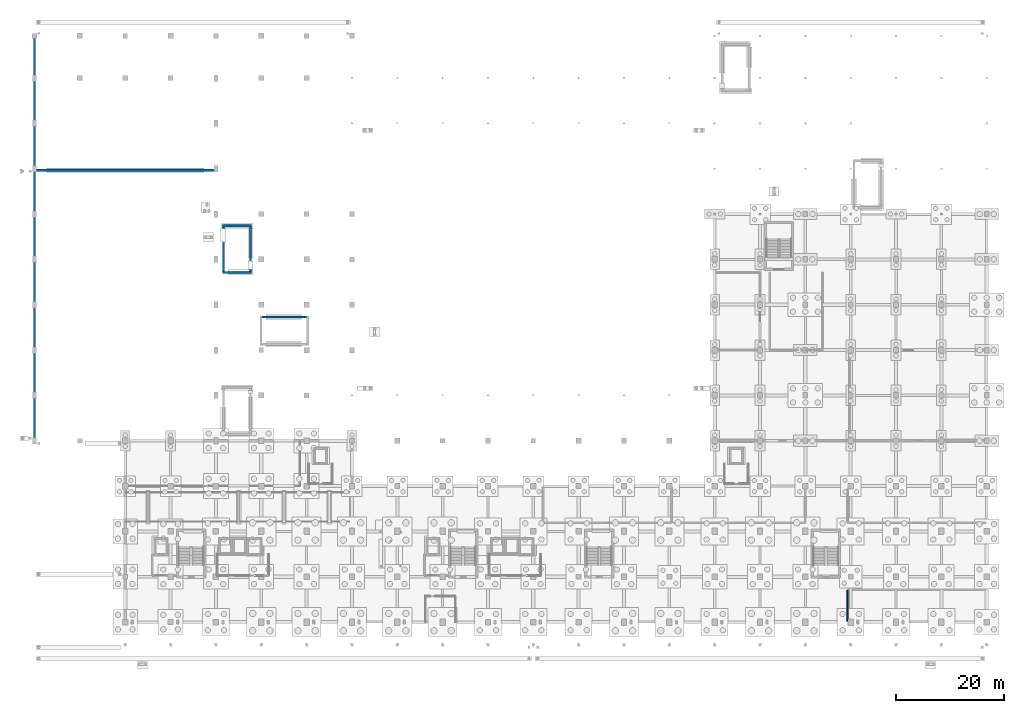
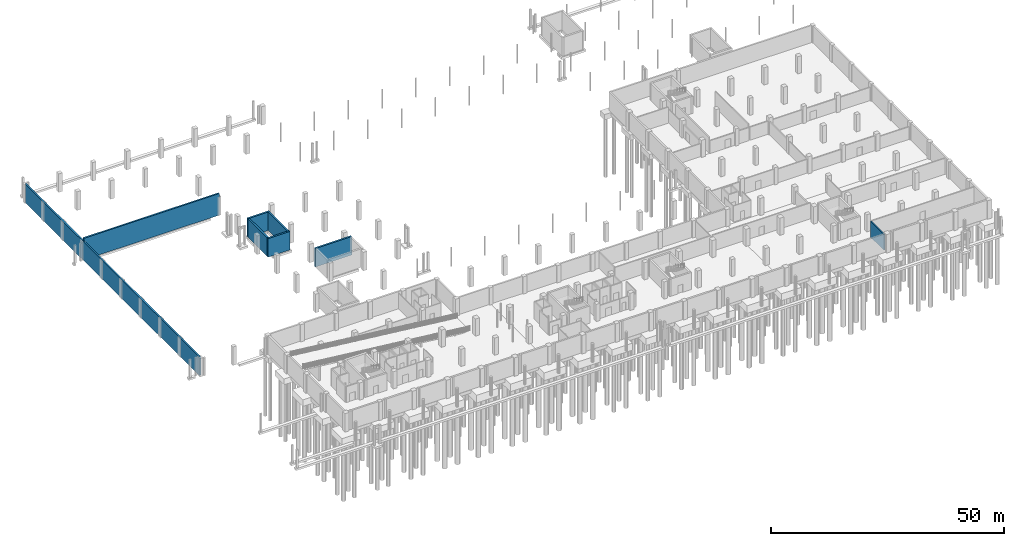
# One storey, part 34 of 39: 8 walls.
"""IFC4 building model written with IfcOpenShell, lengths in metres."""

import ifcopenshell
import ifcopenshell.guid

model = None  # the IFC model being written
_history = None  # IfcOwnerHistory: only IFC2X3 demands one
_inside = {}  # id of a spatial element -> (the spatial element, [elements in it])
_under = {}  # id of a project, library or spatial element -> (it, [spatial elements below it])
_declared = {}  # id of a project -> (the project, [libraries it declares])
_typed = {}  # id of a type object -> (the type object, [elements of that type])
_made_of = {}  # id of a material, layer set ... -> (it, [elements and type objects made of it])


def new_model(schema):
    """Start an empty IFC model of exactly this schema.

    Asked for "IFC4X3", IfcOpenShell would pick the latest addendum, in which some entities
    have other attributes; the version numbers below select the first issue.
    IFC2X3 requires an IfcOwnerHistory on every rooted entity: one is made here for all.
    """
    global model, _history
    if schema == "IFC4X3":
        model = ifcopenshell.file(schema_version=(4, 3, 0, 0))
    else:
        model = ifcopenshell.file(schema=schema)
    _inside.clear()
    _under.clear()
    _declared.clear()
    _typed.clear()
    _made_of.clear()
    _history = None
    if model.schema == "IFC2X3":
        org = make("IfcOrganization", Name="unknown")
        user = make(
            "IfcPersonAndOrganization",
            ThePerson=make("IfcPerson", FamilyName="unknown"),
            TheOrganization=org,
        )
        app = make(
            "IfcApplication",
            ApplicationDeveloper=org,
            Version="unknown",
            ApplicationFullName="unknown",
            ApplicationIdentifier="unknown",
        )
        _history = make(
            "IfcOwnerHistory",
            OwningUser=user,
            OwningApplication=app,
            ChangeAction="ADDED",
            CreationDate=0,
        )
    return model


def make(cls, **values):
    """One entity of the class cls with the attributes given. An attribute that is None is left unset."""
    return model.create_entity(
        cls, **{name: value for name, value in values.items() if value is not None}
    )


def rooted(cls, **values):
    """An entity with a GlobalId (a new one), such as an element, a storey or a relation."""
    return make(cls, GlobalId=ifcopenshell.guid.new(), OwnerHistory=_history, **values)


def si_unit(unit_type, name, prefix=None):
    """IfcSIUnit, for example si_unit("LENGTHUNIT", "METRE", prefix="MILLI")."""
    return make("IfcSIUnit", UnitType=unit_type, Prefix=prefix, Name=name)


def derived_unit(unit_type, elements):
    """IfcDerivedUnit: a product of units, each with its exponent."""
    return make(
        "IfcDerivedUnit",
        Elements=[
            make("IfcDerivedUnitElement", Unit=unit, Exponent=power)
            for unit, power in elements
        ],
        UnitType=unit_type,
    )


def assignment(units):
    """IfcUnitAssignment: the units of a project."""
    return None if units is None else make("IfcUnitAssignment", Units=units)


def point(xyz):
    """IfcCartesianPoint."""
    return None if xyz is None else make("IfcCartesianPoint", Coordinates=xyz)


def direction(xyz):
    """IfcDirection."""
    return None if xyz is None else make("IfcDirection", DirectionRatios=xyz)


def frame(location, z_axis=None, x_axis=None):
    """IfcAxis2Placement3D, a coordinate frame: its origin and axes. An axis left out is left unset."""
    return make(
        "IfcAxis2Placement3D",
        Location=point(location),
        Axis=direction(z_axis),
        RefDirection=direction(x_axis),
    )


def frame_2d(location, x_axis=None):
    """IfcAxis2Placement2D, a coordinate frame in the plane: its origin and x axis."""
    return make(
        "IfcAxis2Placement2D", Location=point(location), RefDirection=direction(x_axis)
    )


def origin():
    """The frame at (0, 0, 0) with its axes left unset."""
    return frame((0.0, 0.0, 0.0))


def place(relative_to, where):
    """IfcLocalPlacement: puts the frame where relative to a parent placement (None: the world)."""
    return make(
        "IfcLocalPlacement", PlacementRelTo=relative_to, RelativePlacement=where
    )


def context(
    kind, dimensions, precision=None, world=None, true_north=None, identifier=None
):
    """IfcGeometricRepresentationContext, for example the 3D "Model" context."""
    return make(
        "IfcGeometricRepresentationContext",
        ContextIdentifier=identifier,
        ContextType=kind,
        CoordinateSpaceDimension=dimensions,
        Precision=precision,
        WorldCoordinateSystem=world,
        TrueNorth=true_north,
    )


def subcontext(parent, identifier, kind, view, scale=None):
    """IfcGeometricRepresentationSubContext, for example "Body" below "Model"."""
    return make(
        "IfcGeometricRepresentationSubContext",
        ContextIdentifier=identifier,
        ContextType=kind,
        ParentContext=parent,
        TargetScale=scale,
        TargetView=view,
    )


def project(units=None, contexts=None):
    """IfcProject with its units and contexts."""
    return rooted(
        "IfcProject",
        Name="project",
        RepresentationContexts=contexts,
        UnitsInContext=assignment(units),
    )


def spatial(cls, under=None, at=None, **own):
    """A site, building, storey or space (cls), placed at a placement, below another one or the project."""
    s = rooted(cls, ObjectPlacement=at, **own)
    if under is not None:
        _under.setdefault(under.id(), (under, []))[1].append(s)
    return s


def profile(cls, at=None, kind="AREA", **sizes):
    """A parametric profile (cls). Its sizes go by their IFC names, for example OverallWidth=200.0."""
    return make(cls, ProfileType=kind, Position=at, **sizes)


def rectangle(**sizes):
    """IfcRectangleProfileDef."""
    return profile("IfcRectangleProfileDef", **sizes)


def extrude(swept, where, along, depth):
    """IfcExtrudedAreaSolid: the profile swept, set in the frame where, extruded along a direction by depth."""
    return make(
        "IfcExtrudedAreaSolid",
        SweptArea=swept,
        Position=where,
        ExtrudedDirection=direction(along),
        Depth=depth,
    )


def shape(context_of_items, identifier, shape_type, items):
    """IfcShapeRepresentation: the items that make up one representation, for example the "Body"."""
    return make(
        "IfcShapeRepresentation",
        ContextOfItems=context_of_items,
        RepresentationIdentifier=identifier,
        RepresentationType=shape_type,
        Items=items,
    )


def material(Name=None, Category=None):
    """IfcMaterial."""
    return make("IfcMaterial", Name=Name, Category=Category)


def layer(
    of_material, thickness, ventilated=None, Name=None, Category=None, Priority=None
):
    """IfcMaterialLayer: one layer of a wall or slab, of a material (None: an air gap)."""
    return make(
        "IfcMaterialLayer",
        Material=of_material,
        LayerThickness=thickness,
        IsVentilated=ventilated,
        Name=Name,
        Category=Category,
        Priority=Priority,
    )


def layer_set(layers, Name=None):
    """IfcMaterialLayerSet."""
    return make("IfcMaterialLayerSet", MaterialLayers=layers, LayerSetName=Name)


def made_of(thing, what):
    """Note that an element or type object is made of a material, layer set ...; save() writes the relation."""
    if what is not None:
        _made_of.setdefault(what.id(), (what, []))[1].append(thing)
    return thing


def type_object(cls, material=None, **own):
    """A type object (cls), such as IfcWallType, which elements share."""
    return made_of(rooted(cls, **own), material)


def element(
    cls,
    number,
    at=None,
    inside=None,
    cuts=None,
    type_object=None,
    material=None,
    context=None,
    identifier="Body",
    shape_type=None,
    held_by="IfcProductDefinitionShape",
    body=None,
    shapes=None,
    **own,
):
    """One element of the class cls, such as IfcWall. Its Tag is "e" and its number.

    at: its placement. inside: the storey or other place that contains it. cuts: it is an
    opening in that element (IfcRelVoidsElement). A single representation is given by context,
    identifier, shape_type and body (its items); several are given by shapes. held_by: the class
    of the entity that holds the representations. save() writes the other relations.
    """
    e = rooted(cls, Tag="e%d" % number, ObjectPlacement=at, **own)
    if body is not None:
        shapes = [shape(context, identifier, shape_type, body)]
    if shapes is not None:
        e.Representation = make(held_by, Representations=shapes)
    if inside is not None:
        _inside.setdefault(inside.id(), (inside, []))[1].append(e)
    if cuts is not None:
        rooted(
            "IfcRelVoidsElement", RelatingBuildingElement=cuts, RelatedOpeningElement=e
        )
    if type_object is not None:
        _typed.setdefault(type_object.id(), (type_object, []))[1].append(e)
    return made_of(e, material)


def aggregate(whole, parts):
    """IfcRelAggregates: a whole, such as a stair, and the parts it consists of."""
    return rooted("IfcRelAggregates", RelatingObject=whole, RelatedObjects=parts)


def save(model, path):
    """Write the relations noted so far, then the file.

    IfcRelAggregates (storeys below a building ...), IfcRelContainedInSpatialStructure (elements
    in a storey), IfcRelDefinesByType, IfcRelAssociatesMaterial and IfcRelDeclares: one each for
    every whole, place, type object, material and project.
    """
    for whole, parts in _under.values():
        aggregate(whole, parts)
    for where, things in _inside.values():
        rooted(
            "IfcRelContainedInSpatialStructure",
            RelatedElements=things,
            RelatingStructure=where,
        )
    for kind, things in _typed.values():
        rooted("IfcRelDefinesByType", RelatedObjects=things, RelatingType=kind)
    for what, things in _made_of.values():
        rooted("IfcRelAssociatesMaterial", RelatedObjects=things, RelatingMaterial=what)
    for by, libraries in _declared.values():
        rooted("IfcRelDeclares", RelatingContext=by, RelatedDefinitions=libraries)
    model.write(path)


model = new_model("IFC4")

# Units and contexts
model_context = context("Model", 3, precision=1e-05, world=origin(), true_north=direction((0.0, 1.0)))
body_context = subcontext(model_context, "Body", "Model", "MODEL_VIEW")
ifc_project = project(units=[si_unit("LENGTHUNIT", "METRE"), si_unit("AREAUNIT", "SQUARE_METRE"), si_unit("VOLUMEUNIT", "CUBIC_METRE"), si_unit("PLANEANGLEUNIT", "RADIAN"), si_unit("MASSUNIT", "GRAM", prefix="KILO"), derived_unit("THERMALTRANSMITTANCEUNIT", [(si_unit("POWERUNIT", "WATT"), 1), (si_unit("LENGTHUNIT", "METRE"), -2), (si_unit("THERMODYNAMICTEMPERATUREUNIT", "KELVIN"), -1)])], contexts=[model_context])

# Site, building, storey
site_placement = place(None, origin())
site = spatial("IfcSite", under=ifc_project, at=site_placement, CompositionType="ELEMENT")
building_placement = place(site_placement, origin())
building = spatial("IfcBuilding", under=site, at=building_placement, Name="Barrovel Congress Hotel", CompositionType="ELEMENT")
storey_placement = place(building_placement, frame((0.0, 0.0, -4.5)))
storey = spatial("IfcBuildingStorey", under=building, at=storey_placement, Name="B01", CompositionType="ELEMENT", Elevation=-4.5)

# Walls
ifc_material_1 = material(Name="Concrete C40", Category="concrete")
ifc_layer_1 = layer(ifc_material_1, 0.39990234375)
ifc_layer_set_1 = layer_set([ifc_layer_1], Name="Concrete C40")
wall_type_1 = type_object("IfcWallType", Name="EW-RET400", PredefinedType="STANDARD", material=ifc_layer_set_1)
wall_1_placement = place(storey_placement, frame((0.0, 112.800048828125, -0.360107421875), z_axis=(0.0, 0.0, 1.0), x_axis=(0.0, -1.0, 0.0)))
element("IfcWall", 1, at=wall_1_placement, inside=storey, type_object=wall_type_1, Name="EW:B01:V1W-STEM", PredefinedType="STANDARD", context=body_context, shape_type="SweptSolid", body=[
    extrude(rectangle(XDim=75.0, YDim=0.39990234375, at=frame_2d((37.5, 0.0))), origin(), (0.0, 0.0, 1.0), 4.860107421875),
])
ifc_material_2 = material(Name="Fired Clay Brick Masonry", Category="masonry")
ifc_layer_2 = layer(ifc_material_2, 0.239990234375)
ifc_layer_set_2 = layer_set([ifc_layer_2], Name="Fired Clay Brick Masonry")
wall_type_2 = type_object("IfcWallType", Name="PW-MAS-240", PredefinedType="PARTITIONING", material=ifc_layer_set_2)
wall_2_placement = place(storey_placement, frame((150.6201171875, 4.39990234375, 0.0), z_axis=(0.0, 0.0, 1.0), x_axis=(0.0, 1.0, 0.0)))
element("IfcWall", 2, at=wall_2_placement, inside=storey, type_object=wall_type_2, Name="RW:SP:B01:SUBS:W", PredefinedType="PARTITIONING", context=body_context, shape_type="SweptSolid", body=[
    extrude(rectangle(XDim=5.66015625, YDim=0.239990234375, at=frame_2d((2.830078125, 0.0))), origin(), (0.0, 0.0, 1.0), 4.175048828125),
])
ifc_material_3 = material(Name="Concrete C50", Category="concrete")
ifc_layer_3 = layer(ifc_material_3, 0.419921875)
ifc_layer_set_3 = layer_set([ifc_layer_3], Name="Concrete C50")
wall_type_3 = type_object("IfcWallType", Name="SW-C50-420", PredefinedType="SHEAR", material=ifc_layer_set_3)
wall_3_placement = place(storey_placement, frame((50.820068359375, 60.7099609375, -0.360107421875), z_axis=(0.0, 0.0, 1.0), x_axis=(-1.0, 0.0, 0.0)))
element("IfcWall", 3, at=wall_3_placement, inside=storey, type_object=wall_type_3, Name="SHW:XS-05:B01-STEM:N", PredefinedType="SHEAR", context=body_context, shape_type="SweptSolid", body=[
    extrude(rectangle(XDim=9.080078125, YDim=0.419921875, at=frame_2d((4.5400390625, 0.0))), origin(), (0.0, 0.0, 1.0), 4.860107421875),
])
wall_4_placement = place(storey_placement, frame((34.780029296875, 68.989990234375, -0.360107421875), z_axis=(0.0, 0.0, 1.0), x_axis=(1.0, 0.0, 0.0)))
element("IfcWall", 4, at=wall_4_placement, inside=storey, type_object=wall_type_3, Name="SHW:XS-07:B01-STEM:S", PredefinedType="SHEAR", context=body_context, shape_type="SweptSolid", body=[
    extrude(rectangle(XDim=5.43994140625, YDim=0.419921875, at=frame_2d((2.719970703125, 0.0))), origin(), (0.0, 0.0, 1.0), 4.860107421875),
])
wall_5_placement = place(storey_placement, frame((40.010009765625, 68.780029296875, -0.360107421875), z_axis=(0.0, 0.0, 1.0), x_axis=(0.0, 1.0, 0.0)))
element("IfcWall", 5, at=wall_5_placement, inside=storey, type_object=wall_type_3, Name="SHW:XS-07:B01-STEM:E", PredefinedType="SHEAR", context=body_context, shape_type="SweptSolid", body=[
    extrude(rectangle(XDim=9.080078125, YDim=0.419921875, at=frame_2d((4.5400390625, 0.0))), origin(), (0.0, 0.0, 1.0), 4.860107421875),
])
wall_6_placement = place(storey_placement, frame((40.219970703125, 77.64990234375, -0.360107421875), z_axis=(0.0, 0.0, 1.0), x_axis=(-1.0, 0.0, 0.0)))
element("IfcWall", 6, at=wall_6_placement, inside=storey, type_object=wall_type_3, Name="SHW:XS-07:B01-STEM:N", PredefinedType="SHEAR", context=body_context, shape_type="SweptSolid", body=[
    extrude(rectangle(XDim=5.43994140625, YDim=0.419921875, at=frame_2d((2.719970703125, 0.0))), origin(), (0.0, 0.0, 1.0), 4.860107421875),
])
wall_7_placement = place(storey_placement, frame((34.989990234375, 77.860107421875, -0.360107421875), z_axis=(0.0, 0.0, 1.0), x_axis=(0.0, -1.0, 0.0)))
element("IfcWall", 7, at=wall_7_placement, inside=storey, type_object=wall_type_3, Name="SHW:XS-07:B01-STEM:W", PredefinedType="SHEAR", context=body_context, shape_type="SweptSolid", body=[
    extrude(rectangle(XDim=9.080078125, YDim=0.419921875, at=frame_2d((4.5400390625, 0.0))), origin(), (0.0, 0.0, 1.0), 4.860107421875),
])
ifc_layer_4 = layer(ifc_material_1, 0.39990234375)
ifc_layer_set_4 = layer_set([ifc_layer_4], Name="Concrete C40")
wall_type_4 = type_object("IfcWallType", Name="SW-FND400", PredefinedType="STANDARD", material=ifc_layer_set_4)
wall_8_placement = place(storey_placement, frame((0.0, 87.89990234375, -0.360107421875), z_axis=(0.0, 0.0, 1.0), x_axis=(1.0, 0.0, 0.0)))
element("IfcWall", 8, at=wall_8_placement, inside=storey, type_object=wall_type_4, Name="SW:V1-STAGE-FRONT", PredefinedType="STANDARD", context=body_context, shape_type="SweptSolid", body=[
    extrude(rectangle(XDim=33.60009765625, YDim=0.39990234375, at=frame_2d((16.800048828125, 0.0))), origin(), (0.0, 0.0, 1.0), 5.66015625),
])

save(model, "model.ifc")
